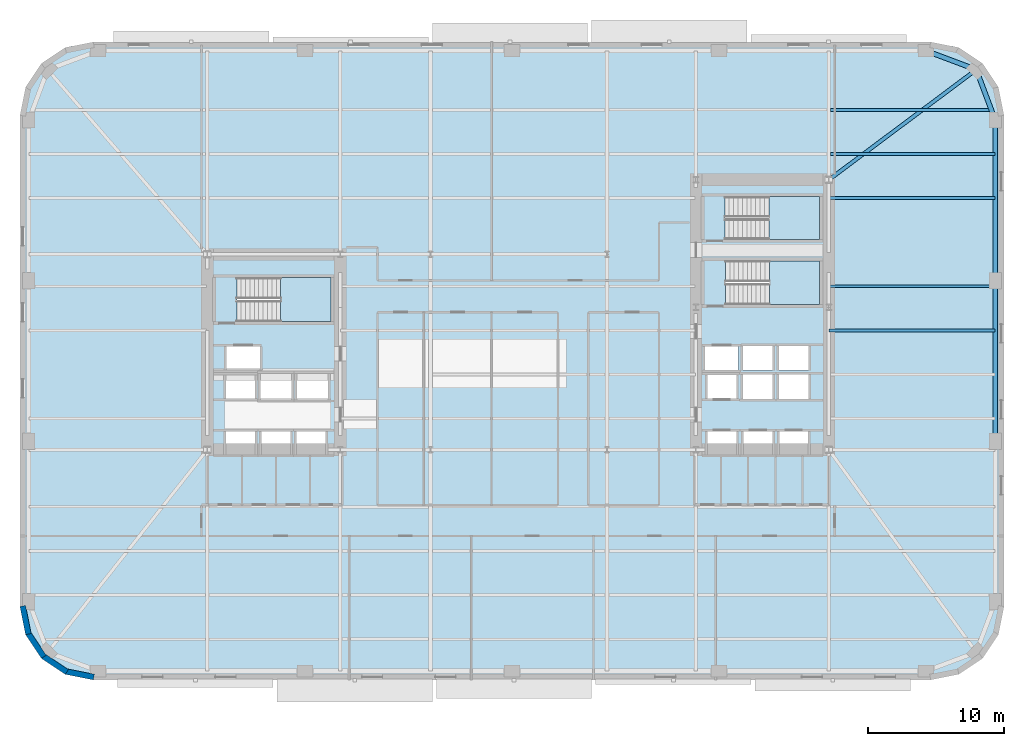
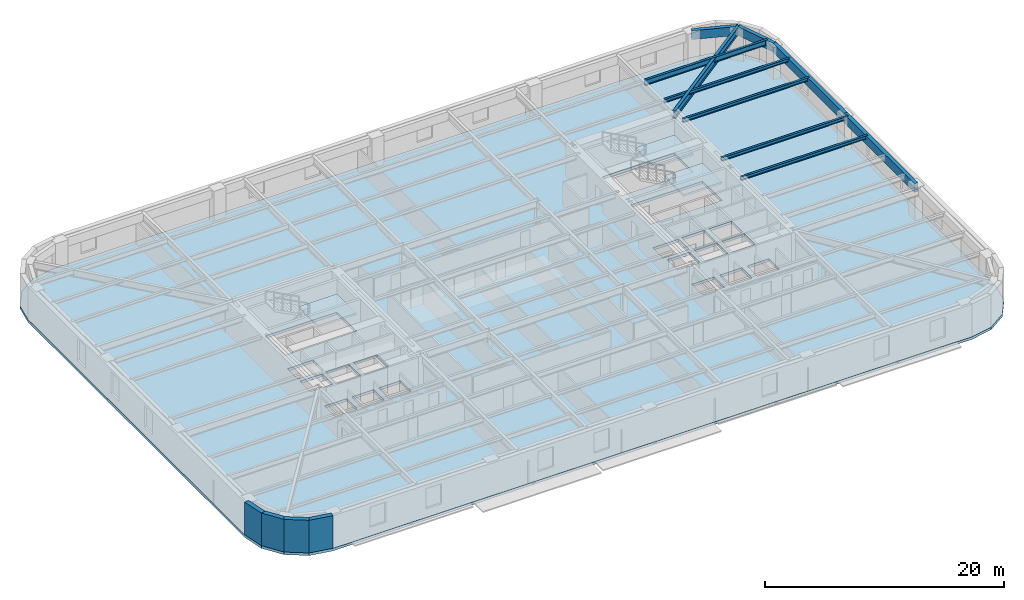
# One storey, part 3 of 14: 10 beams, 4 slabs, 4 walls, 3 elements without a shape of their own.
"""IFC4 building model written with IfcOpenShell, lengths in metres."""

from ifc_helpers import new_model, si_unit, direction, frame, frame_2d, origin, origin_2d, place, context, subcontext, project, spatial, polyline, rectangle, hollow_rectangle, i_section, outline, extrude, material, layer, layer_set, material_profile, profile_set, type_object, element, aggregate, save


model = new_model("IFC4")

# Units and contexts
model_context = context("Model", 3, precision=1e-05, world=origin(), true_north=direction((0.0, 1.0)))
body_context = subcontext(model_context, "Body", "Model", "MODEL_VIEW")
ifc_project = project(units=[si_unit("LENGTHUNIT", "METRE"), si_unit("AREAUNIT", "SQUARE_METRE"), si_unit("VOLUMEUNIT", "CUBIC_METRE"), si_unit("PLANEANGLEUNIT", "RADIAN"), si_unit("MASSUNIT", "GRAM", prefix="KILO")], contexts=[model_context])

# Site, building, storey
site_placement = place(None, origin())
site = spatial("IfcSite", under=ifc_project, at=site_placement, CompositionType="ELEMENT")
building_placement = place(site_placement, origin())
building = spatial("IfcBuilding", under=site, at=building_placement, Name="Kolvaren Arena Tower", CompositionType="ELEMENT")
storey_placement = place(building_placement, frame((0.0, 0.0, 90.75)))
storey = spatial("IfcBuildingStorey", under=building, at=storey_placement, Name="L20", CompositionType="ELEMENT", Elevation=90.75)

# Beams
ifc_material_1 = material(Name="Steel CSA G40.21 350W", Category="steel")
ifc_material_profile_1 = material_profile(ifc_material_1, i_section(OverallWidth=0.2119140625, OverallDepth=0.54296875, WebThickness=0.01318359375, FlangeThickness=0.0244140625, FilletRadius=0.013916015625, at=origin_2d()), Name="W530x150")
ifc_profile_set_1 = profile_set([ifc_material_profile_1], Name="Steel CSA G40.21 350W")
beam_type_1 = type_object("IfcBeamType", Name="BEAM-F1", PredefinedType="BEAM", material=ifc_profile_set_1)
beam_1_placement = place(storey_placement, frame((60.485107421875, 44.5, 3.05859375), z_axis=(1.0, 0.0, 0.0), x_axis=(0.0, 1.0, 0.0)))
element("IfcBeam", 1, at=beam_1_placement, inside=storey, type_object=beam_type_1, Name="Composite Floor Beam (L20)", PredefinedType="BEAM", context=body_context, shape_type="SweptSolid", body=[
    extrude(i_section(OverallWidth=0.2119140625, OverallDepth=0.54296875, WebThickness=0.01318359375, FlangeThickness=0.0244140625, FilletRadius=0.013916015625, at=origin_2d()), origin(), (0.0, 0.0, 1.0), 11.83349609375),
])
ifc_material_profile_2 = material_profile(ifc_material_1, i_section(OverallWidth=0.27001953125, OverallDepth=0.77294921875, WebThickness=0.019287109375, FlangeThickness=0.033447265625, FilletRadius=0.01806640625, at=origin_2d()), Name="W760x257")
ifc_profile_set_2 = profile_set([ifc_material_profile_2], Name="Steel CSA G40.21 350W")
beam_type_2 = type_object("IfcBeamType", Name="GIRD-T1", PredefinedType="BEAM", material=ifc_profile_set_2)
beam_2_placement = place(storey_placement, frame((71.208740234375, 47.458740234375, 2.943603515625), z_axis=(-0.801249936397, -0.598329791523, 0.0), x_axis=(0.598329791523, -0.801249936397, 0.0)))
element("IfcBeam", 2, at=beam_2_placement, inside=storey, type_object=beam_type_2, Name="Corner Diagonal Tie Girder (L20)", PredefinedType="BEAM", context=body_context, shape_type="SweptSolid", body=[
    extrude(i_section(OverallWidth=0.27001953125, OverallDepth=0.77294921875, WebThickness=0.019287109375, FlangeThickness=0.033447265625, FilletRadius=0.01806640625, at=origin_2d()), origin(), (0.0, 0.0, 1.0), 13.55224609375),
])
ifc_material_profile_3 = material_profile(ifc_material_1, i_section(OverallWidth=0.202880859375, OverallDepth=0.346923828125, WebThickness=0.0078125, FlangeThickness=0.013427734375, FilletRadius=0.010986328125, at=origin_2d()), Name="W360x64")
ifc_profile_set_3 = profile_set([ifc_material_profile_3], Name="Steel CSA G40.21 350W")
beam_type_3 = type_object("IfcBeamType", Name="JOIST-01", PredefinedType="JOIST", material=ifc_profile_set_3)
for number, where, z_axis, x_axis, name in (
    (3, (60.3701171875, 28.25, 3.156494140625), (1.0, 0.0, 0.0), (0.0, 1.0, 0.0), "Composite Floor Joist (L20)"),
    (4, (60.3701171875, 31.5, 3.156494140625), (1.0, 0.0, 0.0), (0.0, 1.0, 0.0), "Composite Floor Joist (L20)"),
    (5, (60.3701171875, 38.0, 3.156494140625), (1.0, 0.0, 0.0), (0.0, 1.0, 0.0), "Composite Floor Joist (L20)"),
):
    element("IfcBeam", number, at=place(storey_placement, frame(where, z_axis=z_axis, x_axis=x_axis)), inside=storey, type_object=beam_type_3, Name=name, PredefinedType="JOIST", context=body_context, shape_type="SweptSolid", body=[
        extrude(i_section(OverallWidth=0.202880859375, OverallDepth=0.346923828125, WebThickness=0.0078125, FlangeThickness=0.013427734375, FilletRadius=0.010986328125, at=origin_2d()), origin(), (0.0, 0.0, 1.0), 12.22998046875),
    ])
beam_3_placement = place(storey_placement, frame((60.485107421875, 41.25, 3.156494140625), z_axis=(1.0, 0.0, 0.0), x_axis=(0.0, 1.0, 0.0)))
element("IfcBeam", 6, at=beam_3_placement, inside=storey, type_object=beam_type_3, Name="Composite Floor Joist (L20)", PredefinedType="JOIST", context=body_context, shape_type="SweptSolid", body=[
    extrude(i_section(OverallWidth=0.202880859375, OverallDepth=0.346923828125, WebThickness=0.0078125, FlangeThickness=0.013427734375, FilletRadius=0.010986328125, at=origin_2d()), origin(), (0.0, 0.0, 1.0), 12.114990234375),
])
ifc_material_2 = material(Name="Steel CSA G40.21 350WT", Category="steel")
ifc_material_profile_4 = material_profile(ifc_material_2, hollow_rectangle(XDim=0.35009765625, YDim=0.89990234375, WallThickness=0.02001953125, at=origin_2d()), Name="HSS 900x350x20")
ifc_profile_set_4 = profile_set([ifc_material_profile_4], Name="Steel CSA G40.21 350WT")
beam_type_4 = type_object("IfcBeamType", Name="SPAND-01", PredefinedType="SPANDREL", material=ifc_profile_set_4)
beam_4_placement = place(storey_placement, frame((72.60009765625, 20.083251953125, 2.8798828125), z_axis=(0.0, 1.0, 0.0), x_axis=(-1.0, 0.0, 0.0)))
element("IfcBeam", 7, at=beam_4_placement, inside=storey, type_object=beam_type_4, Name="Perimeter Spandrel Beam (L20)", PredefinedType="SPANDREL", context=body_context, shape_type="SweptSolid", body=[
    extrude(hollow_rectangle(XDim=0.35009765625, YDim=0.89990234375, WallThickness=0.02001953125, at=origin_2d()), origin(), (0.0, 0.0, 1.0), 11.83349609375),
])
beam_5_placement = place(storey_placement, frame((72.60009765625, 31.916748046875, 2.8798828125), z_axis=(0.0, 1.0, 0.0), x_axis=(-1.0, 0.0, 0.0)))
element("IfcBeam", 8, at=beam_5_placement, inside=storey, type_object=beam_type_4, Name="Perimeter Spandrel Beam (L20)", PredefinedType="SPANDREL", context=body_context, shape_type="SweptSolid", body=[
    extrude(hollow_rectangle(XDim=0.35009765625, YDim=0.89990234375, WallThickness=0.02001953125, at=origin_2d()), origin(), (0.0, 0.0, 1.0), 11.833251953125),
])
for number, where, z_axis, x_axis, name in (
    (9, (72.60009765625, 43.75, 2.8798828125), (-0.351251771955, 0.93628104365, 0.0), (-0.93628104365, -0.351251771955, 0.0), "Perimeter Spandrel Beam (L20)"),
    (10, (71.208740234375, 47.458740234375, 2.8798828125), (-0.93628104365, 0.351251771955, 0.0), (-0.351251771955, -0.93628104365, 0.0), "Perimeter Spandrel Beam (L20)"),
):
    element("IfcBeam", number, at=place(storey_placement, frame(where, z_axis=z_axis, x_axis=x_axis)), inside=storey, type_object=beam_type_4, Name=name, PredefinedType="SPANDREL", context=body_context, shape_type="SweptSolid", body=[
        extrude(hollow_rectangle(XDim=0.35009765625, YDim=0.89990234375, WallThickness=0.02001953125, at=origin_2d()), origin(), (0.0, 0.0, 1.0), 3.961181640625),
    ])

# Stair, slab
ifc_material_3 = material(Name="Concrete 45 MPa", Category="concrete")
stair_type_1 = type_object("IfcStairType", Name="STAIR-CORE-165", PredefinedType="HALF_TURN_STAIR", material=ifc_material_3)
stair_1_placement = place(storey_placement, origin())
stair_1 = element("IfcStair", 11, at=stair_1_placement, inside=storey, type_object=stair_type_1, Name="L20 ST-W1", PredefinedType="HALF_TURN_STAIR")
ifc_layer_1 = layer(ifc_material_3, 0.199951171875)
ifc_layer_set_1 = layer_set([ifc_layer_1], Name="Concrete 45 MPa")
slab_type_1 = type_object("IfcSlabType", Name="SLAB-LAND", PredefinedType="LANDING", material=ifc_layer_set_1)
slab_1_placement = place(storey_placement, frame((0.0, 0.0, 1.675048828125)))
slab_1 = element("IfcSlab", 12, at=slab_1_placement, type_object=slab_type_1, Name="ST-W1 landing 1", PredefinedType="LANDING", context=body_context, shape_type="SweptSolid", body=[
    extrude(outline(polyline([(19.9599609375, 28.89990234375), (23.659912109375, 28.89990234375), (23.659912109375, 32.1298828125), (19.9599609375, 32.1298828125), (19.9599609375, 28.89990234375)])), origin(), (0.0, 0.0, 1.0), 0.199951171875),
])
aggregate(stair_1, [slab_1])

stair_2_placement = place(storey_placement, origin())
stair_2 = element("IfcStair", 13, at=stair_2_placement, inside=storey, type_object=stair_type_1, Name="L20 ST-E1", PredefinedType="HALF_TURN_STAIR")
slab_2_placement = place(storey_placement, frame((0.0, 0.0, 1.675048828125)))
slab_2 = element("IfcSlab", 14, at=slab_2_placement, type_object=slab_type_1, Name="ST-E1 landing 1", PredefinedType="LANDING", context=body_context, shape_type="SweptSolid", body=[
    extrude(outline(polyline([(55.9599609375, 30.14990234375), (59.659912109375, 30.14990234375), (59.659912109375, 33.3798828125), (55.9599609375, 33.3798828125), (55.9599609375, 30.14990234375)])), origin(), (0.0, 0.0, 1.0), 0.199951171875),
])
aggregate(stair_2, [slab_2])

stair_type_2 = type_object("IfcStairType", Name="STAIR-CORE-150", PredefinedType="HALF_TURN_STAIR", material=ifc_material_3)
stair_3_placement = place(storey_placement, origin())
stair_3 = element("IfcStair", 15, at=stair_3_placement, inside=storey, type_object=stair_type_2, Name="L20 ST-E2", PredefinedType="HALF_TURN_STAIR")
slab_3_placement = place(storey_placement, frame((0.0, 0.0, 1.675048828125)))
slab_3 = element("IfcSlab", 16, at=slab_3_placement, type_object=slab_type_1, Name="ST-E2 landing 1", PredefinedType="LANDING", context=body_context, shape_type="SweptSolid", body=[
    extrude(outline(polyline([(55.919921875, 34.949951171875), (59.659912109375, 34.949951171875), (59.659912109375, 38.10009765625), (55.919921875, 38.10009765625), (55.919921875, 34.949951171875)])), origin(), (0.0, 0.0, 1.0), 0.199951171875),
])
aggregate(stair_3, [slab_3])

# Slab
ifc_layer_2 = layer(ifc_material_3, 0.27001953125)
ifc_layer_set_2 = layer_set([ifc_layer_2], Name="Concrete 45 MPa")
slab_type_2 = type_object("IfcSlabType", Name="SLAB-OFF2", PredefinedType="FLOOR", material=ifc_layer_set_2)
slab_4_placement = place(storey_placement, frame((0.0, 0.0, -0.27001953125)))
element("IfcSlab", 17, at=slab_4_placement, inside=storey, type_object=slab_type_2, Name="L20 Primary Structural Slab", PredefinedType="FLOOR", context=body_context, shape_type="SweptSolid", body=[
    extrude(outline(polyline([(67.85009765625, 2.5), (69.91650390625, 2.9111328125), (71.66845703125, 4.08154296875), (72.8388671875, 5.83349609375), (73.25, 7.89990234375), (73.25, 44.10009765625), (72.8388671875, 46.16650390625), (71.66845703125, 47.91845703125), (69.91650390625, 49.0888671875), (67.85009765625, 49.5), (6.14990234375, 49.5), (4.08349609375, 49.0888671875), (2.33154296875, 47.91845703125), (1.1611328125, 46.16650390625), (0.75, 44.10009765625), (0.75, 7.89990234375), (1.1611328125, 5.83349609375), (2.33154296875, 4.08154296875), (4.08349609375, 2.9111328125), (6.14990234375, 2.5), (67.85009765625, 2.5)]), holes=[polyline([(15.93505859375, 19.0849609375), (15.93505859375, 20.81494140625), (18.06494140625, 20.81494140625), (18.06494140625, 19.0849609375), (15.93505859375, 19.0849609375)]), polyline([(18.534912109375, 19.0849609375), (18.534912109375, 20.81494140625), (20.6650390625, 20.81494140625), (20.6650390625, 19.0849609375), (18.534912109375, 19.0849609375)]), polyline([(21.135009765625, 19.0849609375), (21.135009765625, 20.81494140625), (23.264892578125, 20.81494140625), (23.264892578125, 19.0849609375), (21.135009765625, 19.0849609375)]), polyline([(51.39501953125, 19.0849609375), (51.39501953125, 20.81494140625), (53.52490234375, 20.81494140625), (53.52490234375, 19.0849609375), (51.39501953125, 19.0849609375)]), polyline([(54.054931640625, 19.0849609375), (54.054931640625, 20.81494140625), (56.18505859375, 20.81494140625), (56.18505859375, 19.0849609375), (54.054931640625, 19.0849609375)]), polyline([(56.695068359375, 19.0849609375), (56.695068359375, 20.81494140625), (58.824951171875, 20.81494140625), (58.824951171875, 19.0849609375), (56.695068359375, 19.0849609375)]), polyline([(18.4599609375, 23.135009765625), (18.4599609375, 25.06494140625), (20.739990234375, 25.06494140625), (20.739990234375, 23.135009765625), (18.4599609375, 23.135009765625)]), polyline([(21.159912109375, 23.135009765625), (21.159912109375, 25.06494140625), (23.43994140625, 25.06494140625), (23.43994140625, 23.135009765625), (21.159912109375, 23.135009765625)]), polyline([(54.030029296875, 25.014892578125), (56.2099609375, 25.014892578125), (56.2099609375, 23.18505859375), (54.030029296875, 23.18505859375), (54.030029296875, 25.014892578125)]), polyline([(56.669921875, 25.014892578125), (58.85009765625, 25.014892578125), (58.85009765625, 23.18505859375), (56.669921875, 23.18505859375), (56.669921875, 25.014892578125)]), polyline([(15.93505859375, 23.235107421875), (15.93505859375, 24.965087890625), (18.06494140625, 24.965087890625), (18.06494140625, 23.235107421875), (15.93505859375, 23.235107421875)]), polyline([(51.39501953125, 24.965087890625), (53.52490234375, 24.965087890625), (53.52490234375, 23.235107421875), (51.39501953125, 23.235107421875), (51.39501953125, 24.965087890625)]), polyline([(54.030029296875, 25.284912109375), (54.030029296875, 27.114990234375), (56.2099609375, 27.114990234375), (56.2099609375, 25.284912109375), (54.030029296875, 25.284912109375)]), polyline([(56.669921875, 25.284912109375), (56.669921875, 27.114990234375), (58.85009765625, 27.114990234375), (58.85009765625, 25.284912109375), (56.669921875, 25.284912109375)]), polyline([(15.9599609375, 27.06494140625), (18.43994140625, 27.06494140625), (18.43994140625, 25.3349609375), (15.9599609375, 25.3349609375), (15.9599609375, 27.06494140625)]), polyline([(51.219970703125, 25.3349609375), (51.219970703125, 27.06494140625), (53.699951171875, 27.06494140625), (53.699951171875, 25.3349609375), (51.219970703125, 25.3349609375)]), polyline([(16.735107421875, 28.89990234375), (16.735107421875, 32.1298828125), (23.659912109375, 32.1298828125), (23.659912109375, 28.89990234375), (16.735107421875, 28.89990234375)]), polyline([(52.735107421875, 33.3798828125), (59.659912109375, 33.3798828125), (59.659912109375, 30.14990234375), (52.735107421875, 30.14990234375), (52.735107421875, 33.3798828125)]), polyline([(52.695068359375, 38.10009765625), (59.659912109375, 38.10009765625), (59.659912109375, 34.949951171875), (52.695068359375, 34.949951171875), (52.695068359375, 38.10009765625)])]), origin(), (0.0, 0.0, 1.0), 0.27001953125),
])

# Walls
ifc_material_4 = material(Name="Precast concrete C50/60", Category="concrete")
ifc_layer_3 = layer(ifc_material_4, 0.419921875)
ifc_layer_set_3 = layer_set([ifc_layer_3], Name="Precast concrete C50/60")
wall_type = type_object("IfcWallType", Name="EXT-PIER1", PredefinedType="SOLIDWALL", material=ifc_layer_set_3)
for number, where, z_axis, x_axis, name in (
    (18, (1.3671875, 5.87451171875, 0.0), (0.0, 0.0, 1.0), (-0.195135546048, 0.9807762837, 0.0), "Exterior Precast Masonry-Frame Wall (L20)"),
    (19, (2.506103515625, 4.1982421875, 0.0), (0.0, 0.0, 1.0), (-0.555502146192, 0.831515102434, 0.0), "Exterior Precast Masonry-Frame Wall (L20)"),
    (20, (4.2001953125, 3.085693359375, 0.0), (0.0, 0.0, 1.0), (-0.831515102434, 0.555502146192, 0.0), "Exterior Precast Masonry-Frame Wall (L20)"),
    (21, (6.19091796875, 2.7060546875, 0.0), (0.0, 0.0, 1.0), (-0.9807762837, 0.195135546048, 0.0), "Exterior Precast Masonry-Frame Wall (L20)"),
):
    element("IfcWall", number, at=place(storey_placement, frame(where, z_axis=z_axis, x_axis=x_axis)), inside=storey, type_object=wall_type, Name=name, PredefinedType="SOLIDWALL", context=body_context, shape_type="SweptSolid", body=[
        extrude(rectangle(XDim=2.10693359375, YDim=0.419921875, at=frame_2d((1.053466796875, 0.0))), origin(), (0.0, 0.0, 1.0), 3.330078125),
    ])

save(model, "model.ifc")
